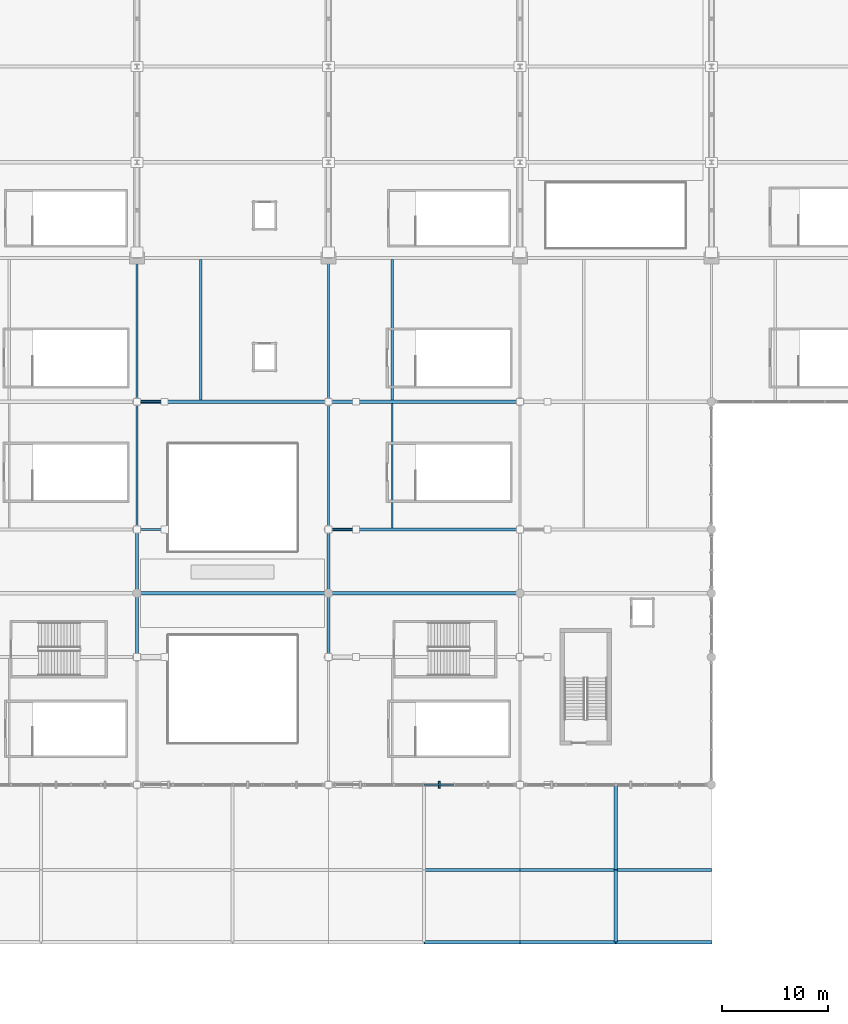
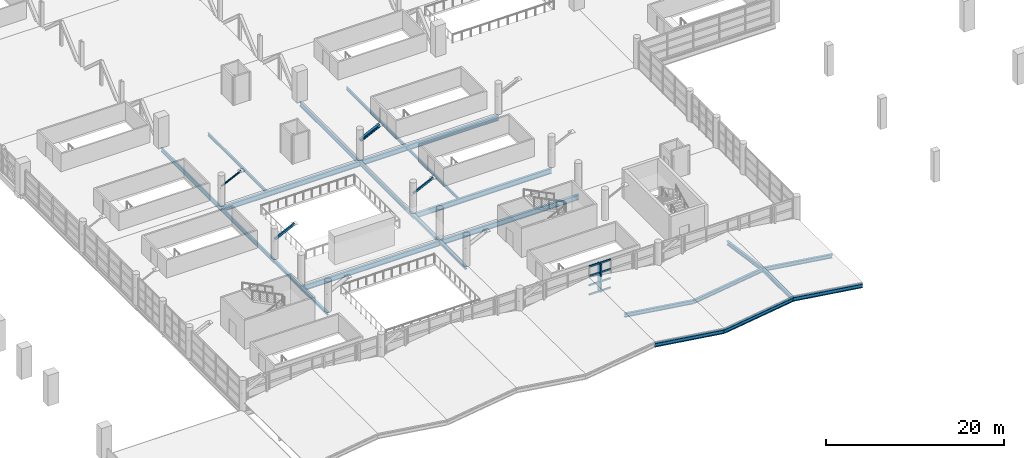
# One storey, part 15 of 136: 24 beams, 9 members, 1 element without a shape of its own.
"""IFC4 building model written with IfcOpenShell, lengths in metres."""

from ifc_helpers import new_model, si_unit, direction, frame, origin, origin_2d, place, context, subcontext, project, spatial, rectangle, hollow_rectangle, i_section, extrude, material, material_profile, profile_set, type_object, element, aggregate, save


model = new_model("IFC4")

# Units and contexts
model_context = context("Model", 3, precision=1e-05, world=origin(), true_north=direction((0.0, 1.0)))
body_context = subcontext(model_context, "Body", "Model", "MODEL_VIEW")
ifc_project = project(units=[si_unit("LENGTHUNIT", "METRE"), si_unit("AREAUNIT", "SQUARE_METRE"), si_unit("VOLUMEUNIT", "CUBIC_METRE"), si_unit("PLANEANGLEUNIT", "RADIAN"), si_unit("MASSUNIT", "GRAM", prefix="KILO")], contexts=[model_context])

# Site, building, storey
site_placement = place(None, origin())
site = spatial("IfcSite", under=ifc_project, at=site_placement, CompositionType="ELEMENT")
building_placement = place(site_placement, origin())
building = spatial("IfcBuilding", under=site, at=building_placement, Name="Chuanluo Vaults Station", CompositionType="ELEMENT")
storey_placement = place(building_placement, frame((0.0, 0.0, 6.60009765625)))
storey = spatial("IfcBuildingStorey", under=building, at=storey_placement, Name="L01", CompositionType="ELEMENT", Elevation=6.60009765625)

# Beams
ifc_material_1 = material(Name="Steel Q355C", Category="steel")
ifc_material_profile_1 = material_profile(ifc_material_1, i_section(OverallWidth=0.294921875, OverallDepth=0.510009765625, WebThickness=0.010986328125, FlangeThickness=0.01806640625, FilletRadius=0.02001953125, at=origin_2d()))
ifc_profile_set_1 = profile_set([ifc_material_profile_1], Name="Steel Q355C")
beam_type_1 = type_object("IfcBeamType", Name="BM-CAN-500", PredefinedType="BEAM", material=ifc_profile_set_1)
for number, where, z_axis, x_axis, name in (
    (1, (63.0, 3.199951171875, 2.06982421875), (0.99003685604, 0.0, -0.140808464524), (0.0, 1.0, 0.0), "Arrival canopy front arch girder 3-E"),
    (2, (63.0, 10.0, 2.02490234375), (0.99003685604, 0.0, -0.140808464524), (0.0, 1.0, 0.0), "Arrival canopy mid arch girder 3-E"),
):
    element("IfcBeam", number, at=place(storey_placement, frame(where, z_axis=z_axis, x_axis=x_axis)), inside=storey, type_object=beam_type_1, Name=name, PredefinedType="BEAM", context=body_context, shape_type="SweptSolid", body=[
        extrude(i_section(OverallWidth=0.294921875, OverallDepth=0.510009765625, WebThickness=0.010986328125, FlangeThickness=0.01806640625, FilletRadius=0.02001953125, at=origin_2d()), origin(), (0.0, 0.0, 1.0), 9.090576171875),
    ])
beam_1_placement = place(storey_placement, frame((81.0, 3.199951171875, 2.039794921875), z_axis=(0.0, 0.999982876596, -0.005852052163), x_axis=(-1.0, 0.0, 0.0)))
element("IfcBeam", 3, at=beam_1_placement, inside=storey, type_object=beam_type_1, Name="Arrival canopy ridge transverse girder 4A", PredefinedType="BEAM", context=body_context, shape_type="SweptSolid", body=[
    extrude(i_section(OverallWidth=0.294921875, OverallDepth=0.510009765625, WebThickness=0.010986328125, FlangeThickness=0.01806640625, FilletRadius=0.02001953125, at=origin_2d()), origin(), (0.0, 0.0, 1.0), 6.800048828125),
])
beam_2_placement = place(storey_placement, frame((81.0, 10.0, 2.0), z_axis=(0.0, 0.989822833852, -0.142305156564), x_axis=(-1.0, 0.0, 0.0)))
element("IfcBeam", 4, at=beam_2_placement, inside=storey, type_object=beam_type_1, Name="Arrival canopy ridge transverse girder 4B", PredefinedType="BEAM", context=body_context, shape_type="SweptSolid", body=[
    extrude(i_section(OverallWidth=0.294921875, OverallDepth=0.510009765625, WebThickness=0.010986328125, FlangeThickness=0.01806640625, FilletRadius=0.02001953125, at=origin_2d()), origin(), (0.0, 0.0, 1.0), 8.082275390625),
])
for number, where, z_axis, x_axis, name in (
    (5, (72.0, 3.199951171875, 0.789794921875), (0.99003685604, 0.0, 0.140808464524), (0.0, 1.0, 0.0), "Arrival canopy front arch girder 4-W"),
    (6, (72.0, 10.0, 0.744873046875), (0.99003685604, 0.0, 0.140808464524), (0.0, 1.0, 0.0), "Arrival canopy mid arch girder 4-W"),
    (7, (81.0, 3.199951171875, 2.06982421875), (0.99003685604, 0.0, -0.140808464524), (0.0, 1.0, 0.0), "Arrival canopy front arch girder 4-E"),
    (8, (81.0, 10.0, 2.02490234375), (0.99003685604, 0.0, -0.140808464524), (0.0, 1.0, 0.0), "Arrival canopy mid arch girder 4-E"),
):
    element("IfcBeam", number, at=place(storey_placement, frame(where, z_axis=z_axis, x_axis=x_axis)), inside=storey, type_object=beam_type_1, Name=name, PredefinedType="BEAM", context=body_context, shape_type="SweptSolid", body=[
        extrude(i_section(OverallWidth=0.294921875, OverallDepth=0.510009765625, WebThickness=0.010986328125, FlangeThickness=0.01806640625, FilletRadius=0.02001953125, at=origin_2d()), origin(), (0.0, 0.0, 1.0), 9.090576171875),
    ])
ifc_material_2 = material(Name="Steel Q355C", Category="steel")
ifc_material_profile_2 = material_profile(ifc_material_2, i_section(OverallWidth=0.300048828125, OverallDepth=0.389892578125, WebThickness=0.010009765625, FlangeThickness=0.01611328125, FilletRadius=0.02001953125, at=origin_2d()))
ifc_profile_set_2 = profile_set([ifc_material_profile_2], Name="Steel Q355C")
beam_type_2 = type_object("IfcBeamType", Name="BM-GRD-400", PredefinedType="BEAM", material=ifc_profile_set_2)
for number, where, z_axis, x_axis, name in (
    (9, (36.0, 30.0, -0.47509765625), (0.0, 1.0, 0.0), (-1.0, 0.0, 0.0), "Floor girder BM:GY:L01:0420"),
    (10, (36.0, 36.0, -0.47509765625), (0.0, 1.0, 0.0), (-1.0, 0.0, 0.0), "Floor girder BM:GY:L01:0421"),
    (11, (54.0, 30.0, -0.47509765625), (0.0, 1.0, 0.0), (-1.0, 0.0, 0.0), "Floor girder BM:GY:L01:0427"),
    (12, (54.0, 36.0, -0.47509765625), (0.0, 1.0, 0.0), (-1.0, 0.0, 0.0), "Floor girder BM:GY:L01:0428"),
):
    element("IfcBeam", number, at=place(storey_placement, frame(where, z_axis=z_axis, x_axis=x_axis)), inside=storey, type_object=beam_type_2, Name=name, PredefinedType="BEAM", context=body_context, shape_type="SweptSolid", body=[
        extrude(i_section(OverallWidth=0.300048828125, OverallDepth=0.389892578125, WebThickness=0.010009765625, FlangeThickness=0.01611328125, FilletRadius=0.02001953125, at=origin_2d()), origin(), (0.0, 0.0, 1.0), 6.0),
    ])
ifc_material_3 = material(Name="Steel Q355C", Category="steel")
ifc_material_profile_3 = material_profile(ifc_material_3, i_section(OverallWidth=0.199951171875, OverallDepth=0.550048828125, WebThickness=0.010009765625, FlangeThickness=0.01611328125, FilletRadius=0.01806640625, at=origin_2d()))
ifc_profile_set_3 = profile_set([ifc_material_profile_3], Name="Steel Q355C")
beam_type_3 = type_object("IfcBeamType", Name="BM-GRD-550", PredefinedType="USERDEFINED", material=ifc_profile_set_3)
for number, where, z_axis, x_axis, name in (
    (13, (36.0, 42.0, -0.55517578125), (0.0, 1.0, 0.0), (-1.0, 0.0, 0.0), "Floor girder BM:GY:L01:0422"),
    (14, (54.0, 42.0, -0.55517578125), (0.0, 1.0, 0.0), (-1.0, 0.0, 0.0), "Floor girder BM:GY:L01:0429"),
):
    element("IfcBeam", number, at=place(storey_placement, frame(where, z_axis=z_axis, x_axis=x_axis)), inside=storey, type_object=beam_type_3, Name=name, ObjectType="GIRDER", PredefinedType="USERDEFINED", context=body_context, shape_type="SweptSolid", body=[
        extrude(i_section(OverallWidth=0.199951171875, OverallDepth=0.550048828125, WebThickness=0.010009765625, FlangeThickness=0.01611328125, FilletRadius=0.01806640625, at=origin_2d()), origin(), (0.0, 0.0, 1.0), 12.0),
    ])
ifc_material_4 = material(Name="Steel Q355C", Category="steel")
ifc_material_profile_4 = material_profile(ifc_material_4, i_section(OverallWidth=0.199951171875, OverallDepth=0.60009765625, WebThickness=0.010986328125, FlangeThickness=0.01708984375, FilletRadius=0.01806640625, at=origin_2d()))
ifc_profile_set_4 = profile_set([ifc_material_profile_4], Name="Steel Q355C")
beam_type_4 = type_object("IfcBeamType", Name="BM-GRD-600", PredefinedType="USERDEFINED", material=ifc_profile_set_4)
for number, where, z_axis, x_axis, name in (
    (15, (36.0, 54.0, -0.580078125), (0.0, 1.0, 0.0), (-1.0, 0.0, 0.0), "Floor girder BM:GY:L01:0423"),
    (16, (54.0, 54.0, -0.580078125), (0.0, 1.0, 0.0), (-1.0, 0.0, 0.0), "Floor girder BM:GY:L01:0430"),
):
    element("IfcBeam", number, at=place(storey_placement, frame(where, z_axis=z_axis, x_axis=x_axis)), inside=storey, type_object=beam_type_4, Name=name, ObjectType="GIRDER", PredefinedType="USERDEFINED", context=body_context, shape_type="SweptSolid", body=[
        extrude(i_section(OverallWidth=0.199951171875, OverallDepth=0.60009765625, WebThickness=0.010986328125, FlangeThickness=0.01708984375, FilletRadius=0.01806640625, at=origin_2d()), origin(), (0.0, 0.0, 1.0), 13.5),
    ])
ifc_material_5 = material(Name="Steel Q355C", Category="steel")
ifc_material_profile_5 = material_profile(ifc_material_5, i_section(OverallWidth=0.300048828125, OverallDepth=0.699951171875, WebThickness=0.012939453125, FlangeThickness=0.02392578125, FilletRadius=0.02197265625, at=origin_2d()))
ifc_profile_set_5 = profile_set([ifc_material_profile_5], Name="Steel Q355C")
beam_type_5 = type_object("IfcBeamType", Name="BM-GRD-700", PredefinedType="USERDEFINED", material=ifc_profile_set_5)
for number, where, z_axis, x_axis, name in (
    (17, (36.0, 36.0, -0.630126953125), (1.0, 0.0, 0.0), (0.0, 1.0, 0.0), "Floor girder BM:GX:L01:0311"),
    (18, (54.0, 36.0, -0.630126953125), (1.0, 0.0, 0.0), (0.0, 1.0, 0.0), "Floor girder BM:GX:L01:0312"),
    (19, (54.0, 42.0, -0.630126953125), (1.0, 0.0, 0.0), (0.0, 1.0, 0.0), "Floor girder BM:GX:L01:0315"),
    (20, (36.0, 54.0, -0.630126953125), (1.0, 0.0, 0.0), (0.0, 1.0, 0.0), "Floor girder BM:GX:L01:0324"),
    (21, (54.0, 54.0, -0.630126953125), (1.0, 0.0, 0.0), (0.0, 1.0, 0.0), "Floor girder BM:GX:L01:0325"),
):
    element("IfcBeam", number, at=place(storey_placement, frame(where, z_axis=z_axis, x_axis=x_axis)), inside=storey, type_object=beam_type_5, Name=name, ObjectType="GIRDER", PredefinedType="USERDEFINED", context=body_context, shape_type="SweptSolid", body=[
        extrude(i_section(OverallWidth=0.300048828125, OverallDepth=0.699951171875, WebThickness=0.012939453125, FlangeThickness=0.02392578125, FilletRadius=0.02197265625, at=origin_2d()), origin(), (0.0, 0.0, 1.0), 18.0),
    ])
ifc_material_6 = material(Name="Steel Q355C", Category="steel")
ifc_material_profile_6 = material_profile(ifc_material_6, i_section(OverallWidth=0.175048828125, OverallDepth=0.35009765625, WebThickness=0.007080078125, FlangeThickness=0.010986328125, FilletRadius=0.013916015625, at=origin_2d()))
ifc_profile_set_6 = profile_set([ifc_material_profile_6], Name="Steel Q355C")
beam_type_6 = type_object("IfcBeamType", Name="BM-SEC-350", PredefinedType="JOIST", material=ifc_profile_set_6)
beam_3_placement = place(storey_placement, frame((60.0, 42.155029296875, -0.455078125), z_axis=(0.0, 1.0, 0.0), x_axis=(-1.0, 0.0, 0.0)))
element("IfcBeam", 22, at=beam_3_placement, inside=storey, type_object=beam_type_6, Name="Composite secondary joist 0123", PredefinedType="JOIST", context=body_context, shape_type="SweptSolid", body=[
    extrude(i_section(OverallWidth=0.175048828125, OverallDepth=0.35009765625, WebThickness=0.007080078125, FlangeThickness=0.010986328125, FilletRadius=0.013916015625, at=origin_2d()), origin(), (0.0, 0.0, 1.0), 11.68994140625),
])
ifc_material_7 = material(Name="Steel Q355C", Category="steel")
ifc_material_profile_7 = material_profile(ifc_material_7, i_section(OverallWidth=0.199951171875, OverallDepth=0.39990234375, WebThickness=0.008056640625, FlangeThickness=0.012939453125, FilletRadius=0.01611328125, at=origin_2d()))
ifc_profile_set_7 = profile_set([ifc_material_profile_7], Name="Steel Q355C")
beam_type_7 = type_object("IfcBeamType", Name="BM-SEC-400", PredefinedType="BEAM", material=ifc_profile_set_7)
for number, where, z_axis, x_axis, name in (
    (23, (42.0, 54.155029296875, -0.47998046875), (0.0, 1.0, 0.0), (-1.0, 0.0, 0.0), "Composite secondary joist 0118"),
    (24, (60.0, 54.155029296875, -0.47998046875), (0.0, 1.0, 0.0), (-1.0, 0.0, 0.0), "Composite secondary joist 0124"),
):
    element("IfcBeam", number, at=place(storey_placement, frame(where, z_axis=z_axis, x_axis=x_axis)), inside=storey, type_object=beam_type_7, Name=name, PredefinedType="BEAM", context=body_context, shape_type="SweptSolid", body=[
        extrude(i_section(OverallWidth=0.199951171875, OverallDepth=0.39990234375, WebThickness=0.008056640625, FlangeThickness=0.012939453125, FilletRadius=0.01611328125, at=origin_2d()), origin(), (0.0, 0.0, 1.0), 13.18994140625),
    ])

# Curtain wall, members
ifc_material_8 = material(Name="Anodised aluminium 6063-T6", Category="aluminium")
curtain_wall_type = type_object("IfcCurtainWallType", Name="CW-SYS-14", PredefinedType="NOTDEFINED", material=ifc_material_8)
curtain_wall_placement = place(storey_placement, origin())
curtain_wall = element("IfcCurtainWall", 25, at=curtain_wall_placement, inside=storey, type_object=curtain_wall_type, Name="Concourse V4 south facade CW", PredefinedType="NOTDEFINED")
ifc_material_9 = material(Name="Anodised aluminium 6063-T6", Category="aluminium")
ifc_material_profile_8 = material_profile(ifc_material_9, hollow_rectangle(XDim=0.1298828125, YDim=0.22998046875, WallThickness=0.006103515625, at=origin_2d()))
ifc_profile_set_8 = profile_set([ifc_material_profile_8], Name="Anodised aluminium 6063-T6")
member_type_1 = type_object("IfcMemberType", Name="CWT-150", PredefinedType="USERDEFINED", material=ifc_profile_set_8)
member_1_placement = place(storey_placement, frame((65.808349609375, 18.0, 0.0), z_axis=(-1.0, 0.0, 0.0), x_axis=(0.0, -1.0, 0.0)))
member_1 = element("IfcMember", 26, at=member_1_placement, type_object=member_type_1, Name="Concourse V4 south facade CW transom 3.1", ObjectType="TRANSOM", PredefinedType="USERDEFINED", context=body_context, shape_type="SweptSolid", body=[
    extrude(hollow_rectangle(XDim=0.1298828125, YDim=0.22998046875, WallThickness=0.006103515625, at=origin_2d()), origin(), (0.0, 0.0, 1.0), 2.808349609375),
])
member_2_placement = place(storey_placement, frame((65.808349609375, 18.0, 1.283203125), z_axis=(-1.0, 0.0, 0.0), x_axis=(0.0, -1.0, 0.0)))
member_2 = element("IfcMember", 27, at=member_2_placement, type_object=member_type_1, Name="Concourse V4 south facade CW transom 3.2", ObjectType="TRANSOM", PredefinedType="USERDEFINED", context=body_context, shape_type="SweptSolid", body=[
    extrude(hollow_rectangle(XDim=0.1298828125, YDim=0.22998046875, WallThickness=0.006103515625, at=origin_2d()), origin(), (0.0, 0.0, 1.0), 2.808349609375),
])
member_3_placement = place(storey_placement, frame((65.808349609375, 18.0, 2.566650390625), z_axis=(-1.0, 0.0, 0.0), x_axis=(0.0, -1.0, 0.0)))
member_3 = element("IfcMember", 28, at=member_3_placement, type_object=member_type_1, Name="Concourse V4 south facade CW transom 3.3", ObjectType="TRANSOM", PredefinedType="USERDEFINED", context=body_context, shape_type="SweptSolid", body=[
    extrude(hollow_rectangle(XDim=0.1298828125, YDim=0.22998046875, WallThickness=0.006103515625, at=origin_2d()), origin(), (0.0, 0.0, 1.0), 2.808349609375),
])
member_4_placement = place(storey_placement, frame((65.808349609375, 18.0, 3.849853515625), z_axis=(-1.0, 0.0, 0.0), x_axis=(0.0, -1.0, 0.0)))
member_4 = element("IfcMember", 29, at=member_4_placement, type_object=member_type_1, Name="Concourse V4 south facade CW transom 3.4", ObjectType="TRANSOM", PredefinedType="USERDEFINED", context=body_context, shape_type="SweptSolid", body=[
    extrude(hollow_rectangle(XDim=0.1298828125, YDim=0.22998046875, WallThickness=0.006103515625, at=origin_2d()), origin(), (0.0, 0.0, 1.0), 2.808349609375),
])
aggregate(curtain_wall, [member_1, member_2, member_3, member_4])

# Members
ifc_material_10 = material(Name="Concrete C50", Category="concrete")
ifc_material_profile_9 = material_profile(ifc_material_10, rectangle(XDim=0.179931640625, YDim=0.64990234375, at=origin_2d()))
ifc_profile_set_9 = profile_set([ifc_material_profile_9], Name="Concrete C50")
member_type_2 = type_object("IfcMemberType", Name="MEM-FIN-CONC", PredefinedType="USERDEFINED", material=ifc_profile_set_9)
member_5_placement = place(storey_placement, frame((64.39990234375, 18.0, 0.0), z_axis=(0.0, 0.0, 1.0), x_axis=(1.0, 0.0, 0.0)))
element("IfcMember", 30, at=member_5_placement, inside=storey, type_object=member_type_2, Name="Concourse vertical sun-fin 08", ObjectType="MULLION_FIN", PredefinedType="USERDEFINED", context=body_context, shape_type="SweptSolid", body=[
    extrude(rectangle(XDim=0.179931640625, YDim=0.64990234375, at=origin_2d()), origin(), (0.0, 0.0, 1.0), 3.81982421875),
])
ifc_material_11 = material(Name="Steel Q355C", Category="steel")
ifc_material_profile_10 = material_profile(ifc_material_11, i_section(OverallWidth=0.10009765625, OverallDepth=0.199951171875, WebThickness=0.005615234375, FlangeThickness=0.008056640625, FilletRadius=0.010986328125, at=origin_2d()))
ifc_profile_set_10 = profile_set([ifc_material_profile_10], Name="Steel Q355C")
member_type_3 = type_object("IfcMemberType", Name="MEM-PUR-200", PredefinedType="PURLIN", material=ifc_profile_set_10)
member_6_placement = place(storey_placement, frame((36.0, 54.0, 2.5), z_axis=(0.901258779583, 0.0, 0.4332812161), x_axis=(0.0, 1.0, 0.0)))
element("IfcMember", 31, at=member_6_placement, inside=storey, type_object=member_type_3, Name="Concourse gallery knee strut 14", PredefinedType="PURLIN", context=body_context, shape_type="SweptSolid", body=[
    extrude(i_section(OverallWidth=0.10009765625, OverallDepth=0.199951171875, WebThickness=0.005615234375, FlangeThickness=0.008056640625, FilletRadius=0.010986328125, at=origin_2d()), origin(), (0.0, 0.0, 1.0), 2.885009765625),
])
ifc_material_12 = material(Name="Steel Q355C", Category="steel")
ifc_material_profile_11 = material_profile(ifc_material_12, hollow_rectangle(XDim=0.14990234375, YDim=0.25, WallThickness=0.010009765625, at=origin_2d()))
ifc_profile_set_11 = profile_set([ifc_material_profile_11], Name="Steel Q355C")
member_type_4 = type_object("IfcMemberType", Name="MEM-RHS-250", PredefinedType="RAFTER", material=ifc_profile_set_11)
member_7_placement = place(storey_placement, frame((54.0, 42.0, 2.5), z_axis=(0.901258779583, 0.0, 0.4332812161), x_axis=(0.0, 1.0, 0.0)))
element("IfcMember", 32, at=member_7_placement, inside=storey, type_object=member_type_4, Name="Concourse gallery knee strut 11", PredefinedType="RAFTER", context=body_context, shape_type="SweptSolid", body=[
    extrude(hollow_rectangle(XDim=0.14990234375, YDim=0.25, WallThickness=0.010009765625, at=origin_2d()), origin(), (0.0, 0.0, 1.0), 2.885009765625),
])
ifc_material_13 = material(Name="Steel Q355C", Category="steel")
ifc_material_profile_12 = material_profile(ifc_material_13, hollow_rectangle(XDim=0.199951171875, YDim=0.300048828125, WallThickness=0.011962890625, at=origin_2d()))
ifc_profile_set_12 = profile_set([ifc_material_profile_12], Name="Steel Q355C")
member_type_5 = type_object("IfcMemberType", Name="MEM-RHS-300", PredefinedType="STRUT", material=ifc_profile_set_12)
member_8_placement = place(storey_placement, frame((36.0, 42.0, 2.5), z_axis=(0.901258779583, 0.0, 0.4332812161), x_axis=(0.0, 1.0, 0.0)))
element("IfcMember", 33, at=member_8_placement, inside=storey, type_object=member_type_5, Name="Concourse gallery knee strut 10", PredefinedType="STRUT", context=body_context, shape_type="SweptSolid", body=[
    extrude(hollow_rectangle(XDim=0.199951171875, YDim=0.300048828125, WallThickness=0.011962890625, at=origin_2d()), origin(), (0.0, 0.0, 1.0), 2.885009765625),
])
ifc_material_14 = material(Name="Steel Q390C", Category="steel")
ifc_material_profile_13 = material_profile(ifc_material_14, i_section(OverallWidth=0.340087890625, OverallDepth=0.340087890625, WebThickness=0.011962890625, FlangeThickness=0.01904296875, FilletRadius=0.02001953125, at=origin_2d()))
ifc_profile_set_13 = profile_set([ifc_material_profile_13], Name="Steel Q390C")
member_type_6 = type_object("IfcMemberType", Name="MEM-VERT-350", PredefinedType="POST", material=ifc_profile_set_13)
member_9_placement = place(storey_placement, frame((54.0, 54.0, 2.5), z_axis=(0.901258779583, 0.0, 0.4332812161), x_axis=(0.0, 1.0, 0.0)))
element("IfcMember", 34, at=member_9_placement, inside=storey, type_object=member_type_6, Name="Concourse gallery knee strut 15", PredefinedType="POST", context=body_context, shape_type="SweptSolid", body=[
    extrude(i_section(OverallWidth=0.340087890625, OverallDepth=0.340087890625, WebThickness=0.011962890625, FlangeThickness=0.01904296875, FilletRadius=0.02001953125, at=origin_2d()), origin(), (0.0, 0.0, 1.0), 2.885009765625),
])

save(model, "model.ifc")
